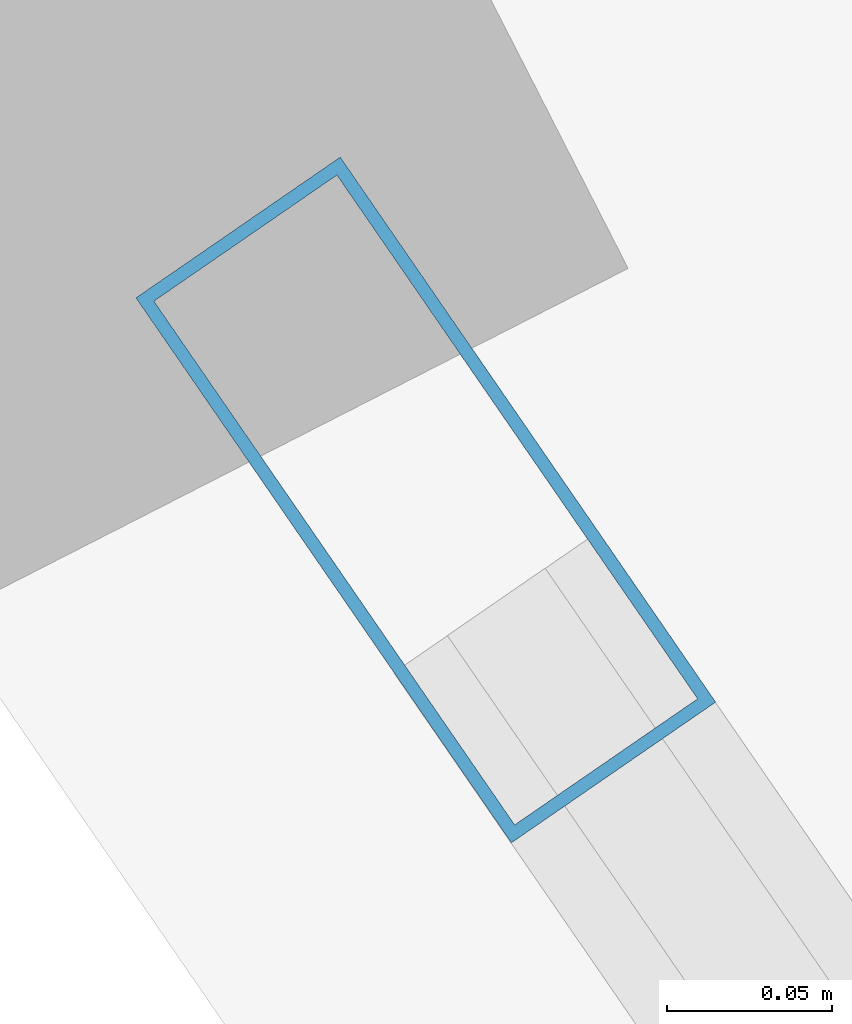
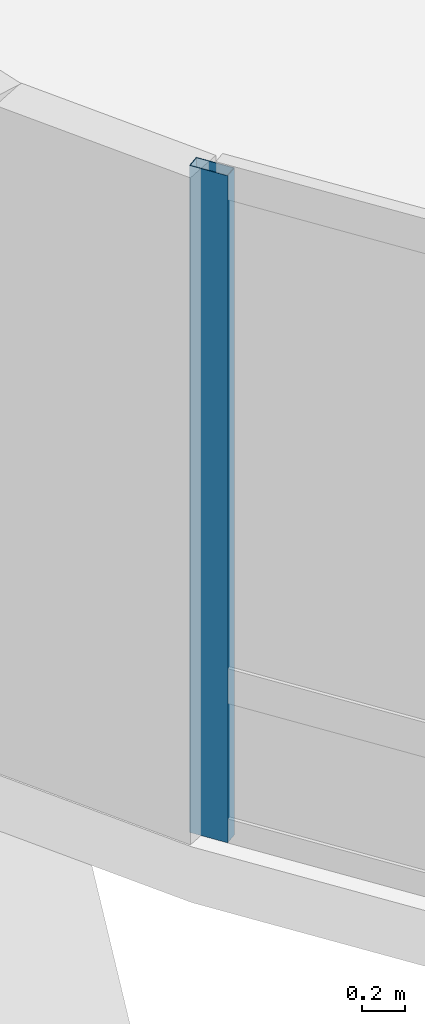
# One storey, part 8 of 18: 1 member, 1 element without a shape of its own.
"""IFC4 building model written with IfcOpenShell, lengths in metres."""

from ifc_helpers import new_model, si_unit, direction, frame, origin, origin_2d, place, context, subcontext, project, spatial, hollow_rectangle, extrude, material, layer, layer_set, material_profile, profile_set, type_object, element, aggregate, save


model = new_model("IFC4")

# Units and contexts
model_context = context("Model", 3, precision=1e-05, world=origin(), true_north=direction((0.0, 1.0)))
body_context = subcontext(model_context, "Body", "Model", "MODEL_VIEW")
ifc_project = project(units=[si_unit("LENGTHUNIT", "METRE"), si_unit("AREAUNIT", "SQUARE_METRE"), si_unit("VOLUMEUNIT", "CUBIC_METRE"), si_unit("PLANEANGLEUNIT", "RADIAN"), si_unit("MASSUNIT", "GRAM", prefix="KILO")], contexts=[model_context])

# Site, building, storey
site_placement = place(None, origin())
site = spatial("IfcSite", under=ifc_project, at=site_placement, CompositionType="ELEMENT")
building_placement = place(site_placement, origin())
building = spatial("IfcBuilding", under=site, at=building_placement, Name="Varnelok Gate Tower", CompositionType="ELEMENT")
storey_placement = place(building_placement, frame((0.0, 0.0, 296.300048828125)))
storey = spatial("IfcBuildingStorey", under=building, at=storey_placement, Name="L76", CompositionType="ELEMENT", Elevation=296.300048828125)

# Curtain wall, member
ifc_material = material(Name="Anodized Aluminum Alloy 6063-T6", Category="aluminium")
ifc_layer = layer(ifc_material, 0.179931640625)
ifc_layer_set = layer_set([ifc_layer], Name="Anodized Aluminum Alloy 6063-T6")
curtain_wall_type = type_object("IfcCurtainWallType", Name="CW6-CROWN-LOOKOUT", PredefinedType="USERDEFINED", material=ifc_layer_set)
curtain_wall_placement = place(storey_placement, origin())
curtain_wall = element("IfcCurtainWall", 1, at=curtain_wall_placement, inside=storey, type_object=curtain_wall_type, Name="L76 West End Vision Curtain Wall", ObjectType="STRUCTURAL GLAZING", PredefinedType="USERDEFINED")
ifc_material_profile = material_profile(ifc_material, hollow_rectangle(XDim=0.074951171875, YDim=0.199951171875, WallThickness=0.00390625, at=origin_2d()), Name="ALU200X75X4")
ifc_profile_set = profile_set([ifc_material_profile], Name="Anodized Aluminum Alloy 6063-T6")
member_type = type_object("IfcMemberType", Name="CW-MULL-200", PredefinedType="MULLION", material=ifc_profile_set)
member_placement = place(storey_placement, frame((11.117431640625, 20.48193359375, 0.0), z_axis=(0.0, 0.0, 1.0), x_axis=(-0.823531954141, -0.567269883308, 0.0)))
member = element("IfcMember", 2, at=member_placement, type_object=member_type, Name="CW6 mullion 6", PredefinedType="MULLION", context=body_context, shape_type="SweptSolid", body=[
    extrude(hollow_rectangle(XDim=0.074951171875, YDim=0.199951171875, WallThickness=0.00390625, at=origin_2d()), origin(), (0.0, 0.0, 1.0), 3.829833984375),
])
aggregate(curtain_wall, [member])

save(model, "model.ifc")
